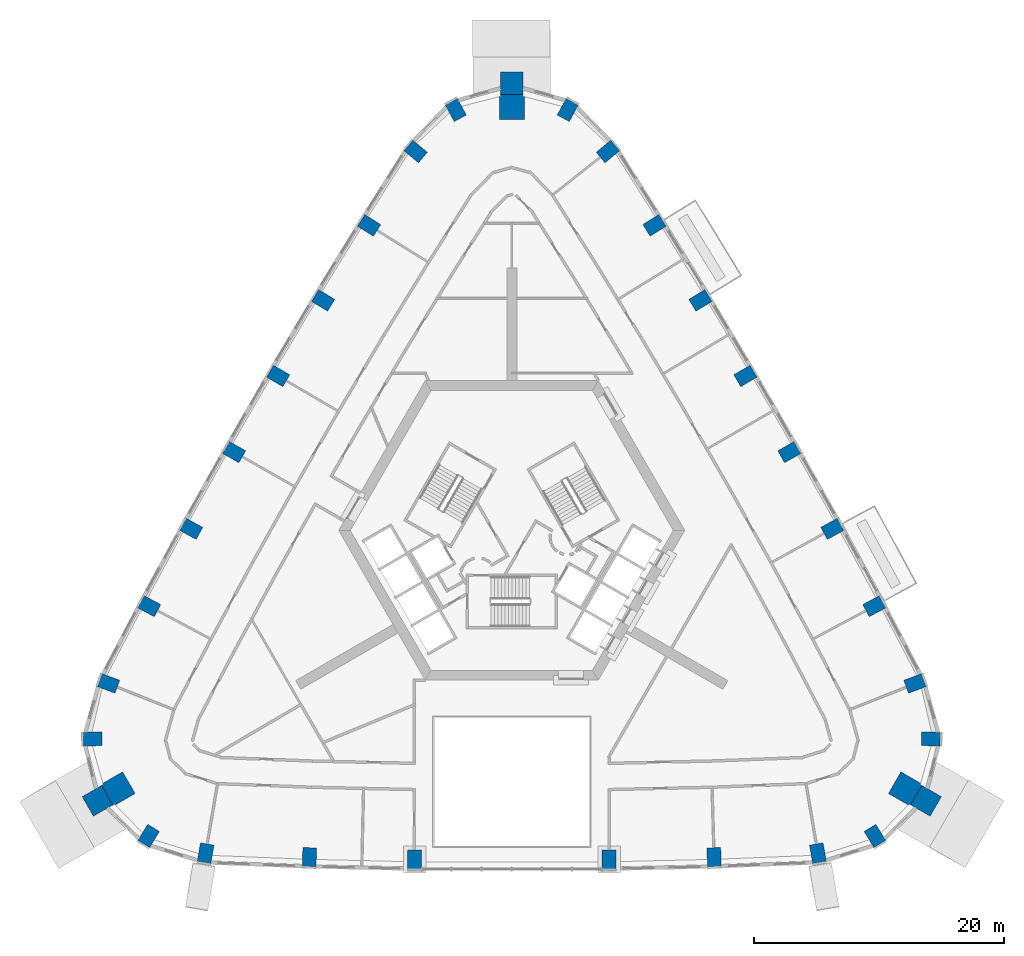
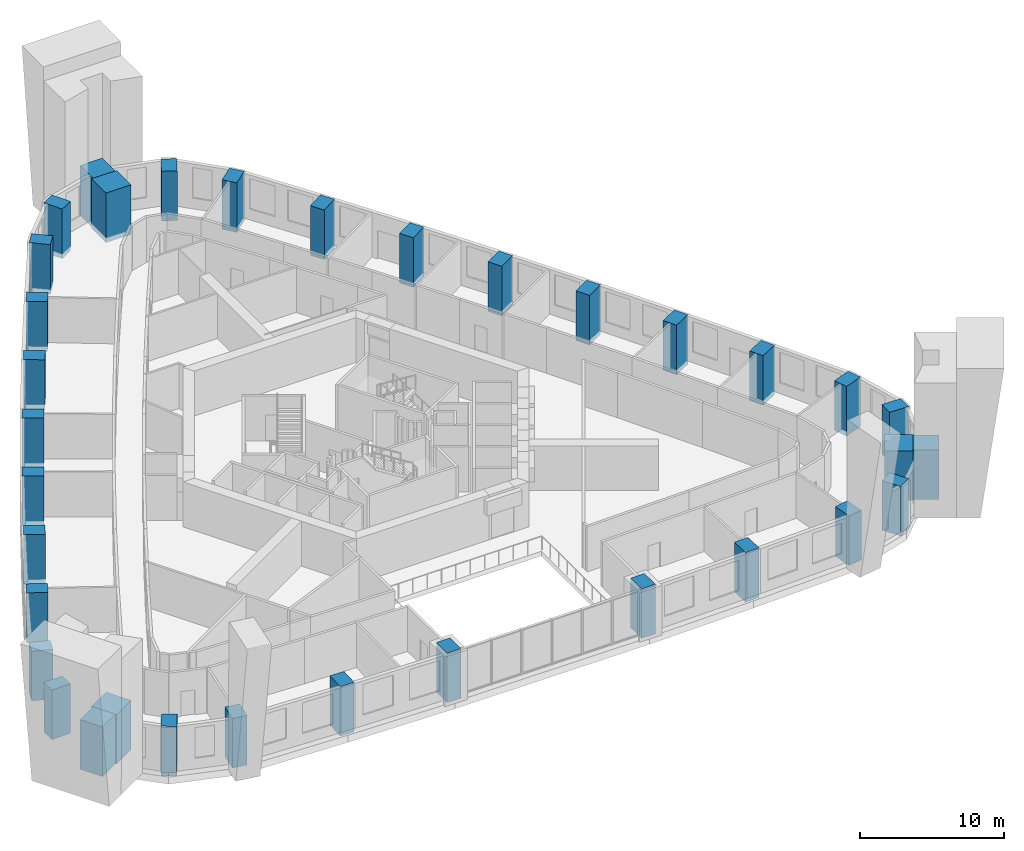
# One storey, part 1 of 15: 34 columns.
"""IFC4 building model written with IfcOpenShell, lengths in metres."""

from ifc_helpers import new_model, si_unit, direction, frame, origin, origin_2d, place, context, subcontext, project, spatial, rectangle, extrude, material, material_profile, profile_set, type_object, element, save


model = new_model("IFC4")

# Units and contexts
model_context = context("Model", 3, precision=1e-05, world=origin(), true_north=direction((0.0, 1.0)))
body_context = subcontext(model_context, "Body", "Model", "MODEL_VIEW")
ifc_project = project(units=[si_unit("LENGTHUNIT", "METRE"), si_unit("AREAUNIT", "SQUARE_METRE"), si_unit("VOLUMEUNIT", "CUBIC_METRE"), si_unit("PLANEANGLEUNIT", "RADIAN"), si_unit("MASSUNIT", "GRAM", prefix="KILO")], contexts=[model_context])

# Site, building, storey
site_placement = place(None, origin())
site = spatial("IfcSite", under=ifc_project, at=site_placement, CompositionType="ELEMENT")
building_placement = place(site_placement, origin())
building = spatial("IfcBuilding", under=site, at=building_placement, Name="Entoto Arch Interchange Tower", CompositionType="ELEMENT")
storey_placement = place(building_placement, frame((0.0, 0.0, 150.800048828125)))
storey = spatial("IfcBuildingStorey", under=building, at=storey_placement, Name="L33", CompositionType="ELEMENT", Elevation=150.800048828125)

# Columns
ifc_material_1 = material(Name="Concrete C50/60", Category="concrete")
ifc_material_profile_1 = material_profile(ifc_material_1, rectangle(XDim=1.10009765625, YDim=1.5, at=origin_2d()))
ifc_profile_set_1 = profile_set([ifc_material_profile_1], Name="Concrete C50/60")
column_type_1 = type_object("IfcColumnType", Name="Column RC 1100x1500 C50/60", PredefinedType="COLUMN", material=ifc_profile_set_1)
for number, where, z_axis, x_axis, name in (
    (1, (-24.51806640625, -23.35498046875, -0.400146484375), (0.0, 0.0, 1.0), (-0.985753417505, 0.168196908046, 0.0), "Column S01 L33"),
    (2, (-16.205078125, -23.666015625, -0.400146484375), (0.0, 0.0, 1.0), (-0.999496089207, 0.031742206272, 0.0), "Column S02 L33"),
    (3, (-7.7890625, -23.85693359375, -0.400146484375), (0.0, 0.0, 1.0), (-0.999931015761, 0.011745795767, 0.0), "Column S03 L33"),
    (4, (7.7890625, -23.85693359375, -0.400146484375), (0.0, 0.0, 1.0), (0.999931015761, 0.011745795767, 0.0), "Column S04 L33"),
    (5, (16.205078125, -23.666015625, -0.400146484375), (0.0, 0.0, 1.0), (0.999496089207, 0.031742206272, 0.0), "Column S05 L33"),
    (6, (24.51806640625, -23.35498046875, -0.400146484375), (0.0, 0.0, 1.0), (0.985753417505, 0.168196908046, 0.0), "Column S06 L33"),
    (7, (29.08203125, -21.967041015625, -0.400146484375), (0.0, 0.0, 1.0), (0.853714435155, 0.520741455243, 0.0), "Column SE1 L33"),
    (8, (33.56494140625, -14.201904296875, -0.400146484375), (0.0, 0.0, 1.0), (0.024118111467, 0.999709116043, 0.0), "Column SE3 L33"),
    (9, (32.2919921875, -9.758056640625, -0.400146484375), (0.0, 0.0, 1.0), (-0.346591874029, 0.93801603017, 0.0), "Column NE01 L33"),
    (10, (29.033935546875, -3.571044921875, -0.400146484375), (0.0, 0.0, 1.0), (-0.469856776649, 0.882742663202, 0.0), "Column NE02 L33"),
    (11, (25.673095703125, 2.6220703125, -0.400146484375), (0.0, 0.0, 1.0), (-0.481983074142, 0.876180527198, 0.0), "Column NE03 L33"),
    (12, (22.23193359375, 8.76904296875, -0.400146484375), (0.0, 0.0, 1.0), (-0.49401774245, 0.869451821635, 0.0), "Column NE04 L33"),
    (13, (18.7099609375, 14.8701171875, -0.400146484375), (0.0, 0.0, 1.0), (-0.505958493678, 0.8625578257, 0.0), "Column NE05 L33"),
    (14, (15.10693359375, 20.923095703125, -0.400146484375), (0.0, 0.0, 1.0), (-0.517803057784, 0.85549985, 0.0), "Column NE06 L33"),
    (15, (11.425048828125, 26.927978515625, -0.400146484375), (0.0, 0.0, 1.0), (-0.529549183013, 0.848279236319, 0.0), "Column NE07 L33"),
    (16, (7.695068359375, 32.844970703125, -0.400146484375), (0.0, 0.0, 1.0), (-0.63904977427, 0.76916538274, 0.0), "Column NE08 L33"),
    (17, (4.48291015625, 36.1689453125, -0.400146484375), (0.0, 0.0, 1.0), (-0.877832546621, 0.4789676608, 0.0), "Column N1 L33"),
    (18, (-4.48291015625, 36.1689453125, -0.400146484375), (0.0, 0.0, 1.0), (0.877832546621, 0.4789676608, 0.0), "Column N3 L33"),
    (19, (-7.695068359375, 32.844970703125, -0.400146484375), (0.0, 0.0, 1.0), (0.63904977427, 0.76916538274, 0.0), "Column NW01 L33"),
    (20, (-11.425048828125, 26.927978515625, -0.400146484375), (0.0, 0.0, 1.0), (0.529549183013, 0.848279236319, 0.0), "Column NW02 L33"),
    (21, (-15.10693359375, 20.923095703125, -0.400146484375), (0.0, 0.0, 1.0), (0.517803057784, 0.85549985, 0.0), "Column NW03 L33"),
    (22, (-18.7099609375, 14.8701171875, -0.400146484375), (0.0, 0.0, 1.0), (0.505958493678, 0.8625578257, 0.0), "Column NW04 L33"),
    (23, (-22.23193359375, 8.76904296875, -0.400146484375), (0.0, 0.0, 1.0), (0.49401774245, 0.869451821635, 0.0), "Column NW05 L33"),
    (24, (-25.673095703125, 2.6220703125, -0.400146484375), (0.0, 0.0, 1.0), (0.481983074142, 0.876180527198, 0.0), "Column NW06 L33"),
    (25, (-29.033935546875, -3.571044921875, -0.400146484375), (0.0, 0.0, 1.0), (0.469856776649, 0.882742663202, 0.0), "Column NW07 L33"),
    (26, (-32.2919921875, -9.758056640625, -0.400146484375), (0.0, 0.0, 1.0), (0.346591874029, 0.93801603017, 0.0), "Column NW08 L33"),
    (27, (-33.56494140625, -14.201904296875, -0.400146484375), (0.0, 0.0, 1.0), (-0.024118111467, 0.999709116043, 0.0), "Column SW1 L33"),
    (28, (-29.08203125, -21.967041015625, -0.400146484375), (0.0, 0.0, 1.0), (-0.853714435155, 0.520741455243, 0.0), "Column SW3 L33"),
):
    element("IfcColumn", number, at=place(storey_placement, frame(where, z_axis=z_axis, x_axis=x_axis)), inside=storey, type_object=column_type_1, Name=name, PredefinedType="COLUMN", context=body_context, shape_type="SweptSolid", body=[
        extrude(rectangle(XDim=1.10009765625, YDim=1.5, at=origin_2d()), origin(), (0.0, 0.0, 1.0), 4.2001953125),
    ])
ifc_material_2 = material(Name="Precast concrete C40/50", Category="concrete")
ifc_material_profile_2 = material_profile(ifc_material_2, rectangle(XDim=1.800048828125, YDim=1.800048828125, at=origin_2d()))
ifc_profile_set_2 = profile_set([ifc_material_profile_2], Name="Precast concrete C40/50")
column_type_2 = type_object("IfcColumnType", Name="Frame post RC 1800x1800 precast C40/50", PredefinedType="COLUMN", material=ifc_profile_set_2)
for number, where, z_axis, x_axis, name in (
    (29, (33.179931640625, -19.156005859375, -0.400146484375), (0.0, 0.0, 1.0), (-0.866025403784, 0.5, 0.0), "Frame post SE L33"),
    (30, (0.0, 38.31201171875, -0.400146484375), (0.0, 0.0, 1.0), (0.0, 1.0, 0.0), "Frame post N L33"),
    (31, (-33.179931640625, -19.156005859375, -0.400146484375), (0.0, 0.0, 1.0), (0.866025403784, 0.5, 0.0), "Frame post SW L33"),
):
    element("IfcColumn", number, at=place(storey_placement, frame(where, z_axis=z_axis, x_axis=x_axis)), inside=storey, type_object=column_type_2, Name=name, PredefinedType="COLUMN", context=body_context, shape_type="SweptSolid", body=[
        extrude(rectangle(XDim=1.800048828125, YDim=1.800048828125, at=origin_2d()), origin(), (0.0, 0.0, 1.0), 4.2001953125),
    ])
ifc_material_profile_3 = material_profile(ifc_material_1, rectangle(XDim=2.0, YDim=2.0, at=origin_2d()))
ifc_profile_set_3 = profile_set([ifc_material_profile_3], Name="Concrete C50/60")
column_type_3 = type_object("IfcColumnType", Name="Mega column RC 2000x2000 C50/60", PredefinedType="COLUMN", material=ifc_profile_set_3)
for number, where, z_axis, x_axis, name in (
    (32, (31.534912109375, -18.2060546875, -0.400146484375), (0.0, 0.0, 1.0), (-0.866025403784, 0.5, 0.0), "Corner mega column SE2 L33"),
    (33, (0.0, 36.412109375, -0.400146484375), (0.0, 0.0, 1.0), (0.0, 1.0, 0.0), "Corner mega column N2 L33"),
    (34, (-31.534912109375, -18.2060546875, -0.400146484375), (0.0, 0.0, 1.0), (0.866025403784, 0.5, 0.0), "Corner mega column SW2 L33"),
):
    element("IfcColumn", number, at=place(storey_placement, frame(where, z_axis=z_axis, x_axis=x_axis)), inside=storey, type_object=column_type_3, Name=name, PredefinedType="COLUMN", context=body_context, shape_type="SweptSolid", body=[
        extrude(rectangle(XDim=2.0, YDim=2.0, at=origin_2d()), origin(), (0.0, 0.0, 1.0), 4.2001953125),
    ])

save(model, "model.ifc")
